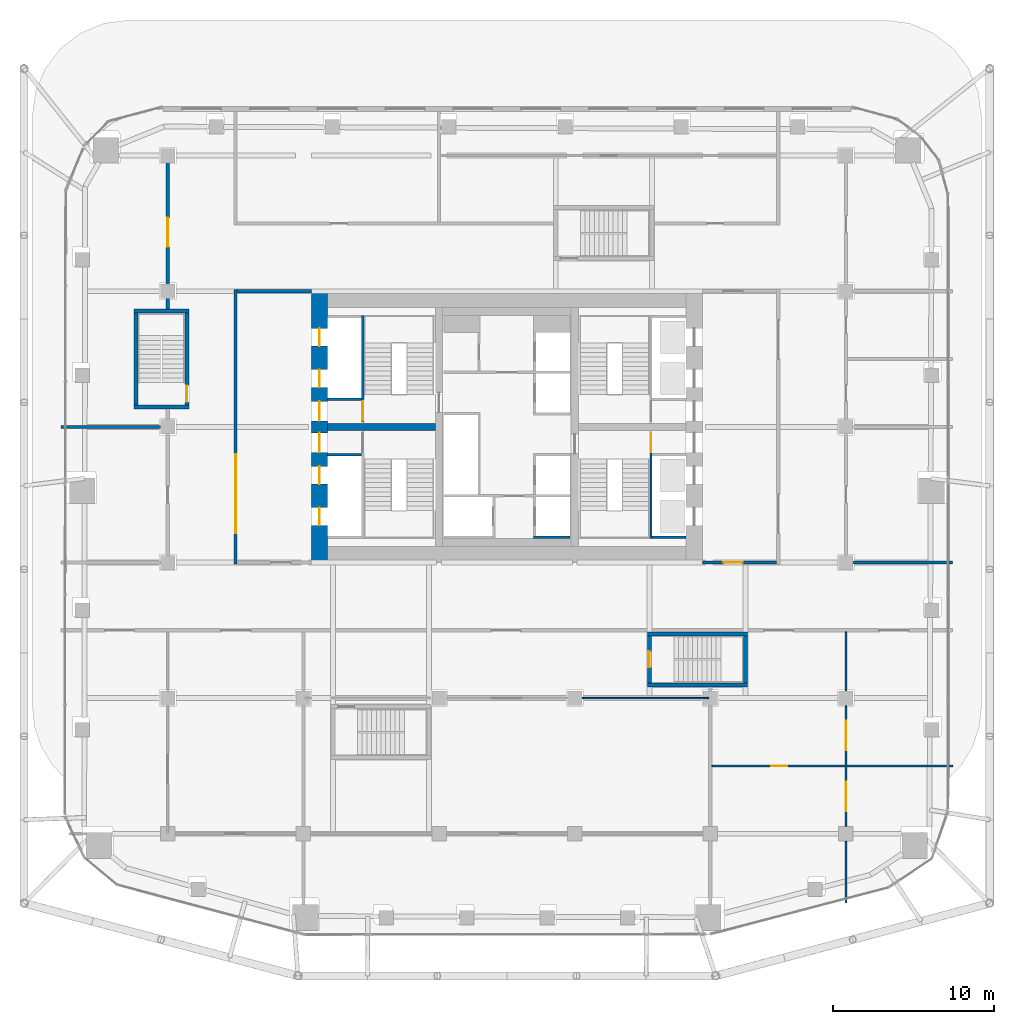
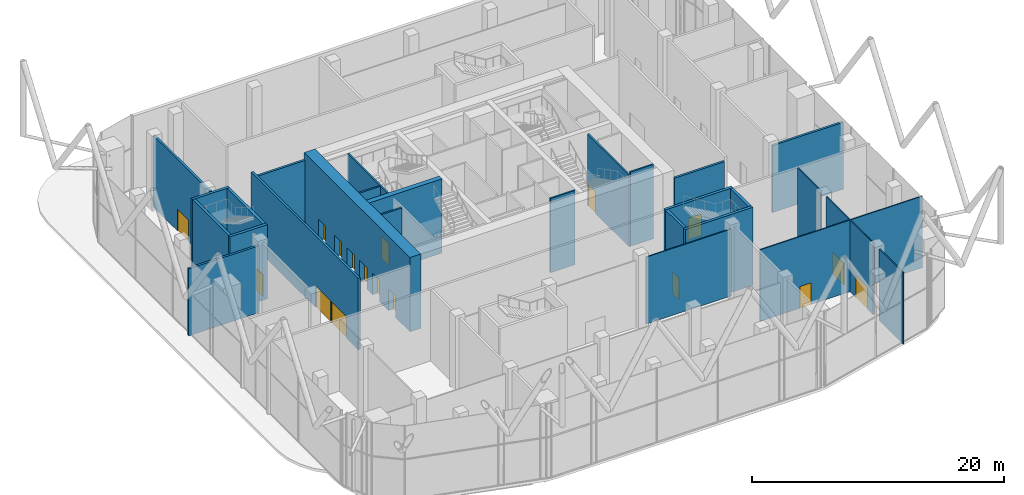
# One storey, part 26 of 34: 27 walls, 17 doors, 17 openings.
"""IFC4 building model written with IfcOpenShell, lengths in metres."""

from ifc_helpers import new_model, si_unit, direction, frame, frame_2d, origin, place, context, subcontext, project, spatial, rectangle, extrude, material, layer, layer_set, type_object, element, fill, save


model = new_model("IFC4")

# Units and contexts
model_context = context("Model", 3, precision=1e-05, world=origin(), true_north=direction((0.0, 1.0)))
body_context = subcontext(model_context, "Body", "Model", "MODEL_VIEW")
ifc_project = project(units=[si_unit("LENGTHUNIT", "METRE"), si_unit("AREAUNIT", "SQUARE_METRE"), si_unit("VOLUMEUNIT", "CUBIC_METRE"), si_unit("PLANEANGLEUNIT", "RADIAN"), si_unit("MASSUNIT", "GRAM", prefix="KILO")], contexts=[model_context])

# Site, building, storey
site_placement = place(None, origin())
site = spatial("IfcSite", under=ifc_project, at=site_placement, CompositionType="ELEMENT")
building_placement = place(site_placement, origin())
building = spatial("IfcBuilding", under=site, at=building_placement, Name="Marenta Gate Hotel Tower", CompositionType="ELEMENT")
storey_placement = place(building_placement, frame((0.0, 0.0, 97.699951171875)))
storey = spatial("IfcBuildingStorey", under=building, at=storey_placement, Name="L21", CompositionType="ELEMENT", Elevation=97.699951171875)

# Wall, openings, doors
ifc_material_1 = material(Name="Concrete blockwork", Category="masonry")
ifc_layer_1 = layer(ifc_material_1, 0.199951171875)
ifc_layer_set_1 = layer_set([ifc_layer_1], Name="Concrete blockwork")
wall_type_1 = type_object("IfcWallType", Name="Core boundary wall 200 REI 180", PredefinedType="PARTITIONING", material=ifc_layer_set_1)
wall_1_placement = place(storey_placement, frame((-16.800048828125, -0.10009765625, 0.0), z_axis=(0.0, 0.0, 1.0), x_axis=(0.0, 1.0, 0.0)))
wall_1 = element("IfcWall", 1, at=wall_1_placement, inside=storey, type_object=wall_type_1, Name="L21-CP-BW-W", PredefinedType="PARTITIONING", context=body_context, shape_type="SweptSolid", body=[
    extrude(rectangle(XDim=17.0, YDim=0.199951171875, at=frame_2d((8.5, 0.0))), origin(), (0.0, 0.0, 1.0), 6.93994140625),
])
opening_1_placement = place(wall_1_placement, frame((1.89990234375, 0.0, 0.0)))
opening_1 = element("IfcOpeningElement", 2, at=opening_1_placement, cuts=wall_1, Name="Opening ED-Wa-A", PredefinedType="OPENING", context=body_context, shape_type="SweptSolid", body=[
    extrude(rectangle(XDim=2.39990234375, YDim=2.10009765625, at=frame_2d((1.199951171875, 1.050048828125))), frame((0.0, 0.10009765625, 0.0), z_axis=(0.0, -1.0, 0.0), x_axis=(1.0, 0.0, 0.0)), (0.0, 0.0, 1.0), 0.199951171875),
])
opening_2_placement = place(wall_1_placement, frame((4.39990234375, 0.0, 0.0)))
opening_2 = element("IfcOpeningElement", 3, at=opening_2_placement, cuts=wall_1, Name="Opening ED-Wb-A", PredefinedType="OPENING", context=body_context, shape_type="SweptSolid", body=[
    extrude(rectangle(XDim=2.39990234375, YDim=2.10009765625, at=frame_2d((1.199951171875, 1.050048828125))), frame((0.0, 0.10009765625, 0.0), z_axis=(0.0, -1.0, 0.0), x_axis=(1.0, 0.0, 0.0)), (0.0, 0.0, 1.0), 0.199951171875),
])
ifc_material_2 = material(Name="Steel", Category="steel")
door_type_1 = type_object("IfcDoorType", Name="Core lobby entrance door 2400x2100 EI 60", OperationType="DOUBLE_DOOR_SINGLE_SWING", PredefinedType="DOOR", material=ifc_material_2)
door_1_placement = place(opening_1_placement, origin())
door_1 = element("IfcDoor", 4, at=door_1_placement, inside=storey, type_object=door_type_1, Name="ED-Wa-A", OperationType="DOUBLE_DOOR_SINGLE_SWING", OverallHeight=2.10009765625, OverallWidth=2.39990234375, PredefinedType="DOOR", context=body_context, shape_type="SweptSolid", body=[
    extrude(rectangle(XDim=2.39990234375, YDim=2.10009765625, at=frame_2d((1.199951171875, 1.050048828125))), frame((0.0, 0.02490234375, 0.0), z_axis=(0.0, -1.0, 0.0), x_axis=(1.0, 0.0, 0.0)), (0.0, 0.0, 1.0), 0.050048828125),
])
fill(opening_1, door_1)
door_2_placement = place(opening_2_placement, origin())
door_2 = element("IfcDoor", 5, at=door_2_placement, inside=storey, type_object=door_type_1, Name="ED-Wb-A", OperationType="DOUBLE_DOOR_SINGLE_SWING", OverallHeight=2.10009765625, OverallWidth=2.39990234375, PredefinedType="DOOR", context=body_context, shape_type="SweptSolid", body=[
    extrude(rectangle(XDim=2.39990234375, YDim=2.10009765625, at=frame_2d((1.199951171875, 1.050048828125))), frame((0.0, 0.02490234375, 0.0), z_axis=(0.0, -1.0, 0.0), x_axis=(1.0, 0.0, 0.0)), (0.0, 0.0, 1.0), 0.050048828125),
])
fill(opening_2, door_2)

# Wall
wall_2_placement = place(storey_placement, frame((-16.699951171875, 16.800048828125, 0.0), z_axis=(0.0, 0.0, 1.0), x_axis=(1.0, 0.0, 0.0)))
element("IfcWall", 6, at=wall_2_placement, inside=storey, type_object=wall_type_1, Name="L21-CP-EW-WN", PredefinedType="PARTITIONING", context=body_context, shape_type="SweptSolid", body=[
    extrude(rectangle(XDim=4.599853515625, YDim=0.199951171875, at=frame_2d((2.2998046875, 0.0))), origin(), (0.0, 0.0, 1.0), 6.489990234375),
])

# Wall, opening, door
wall_3_placement = place(storey_placement, frame((12.10009765625, 0.0, 0.0), z_axis=(0.0, 0.0, 1.0), x_axis=(1.0, 0.0, 0.0)))
wall_3 = element("IfcWall", 7, at=wall_3_placement, inside=storey, type_object=wall_type_1, Name="L21-CP-EW-ES", PredefinedType="PARTITIONING", context=body_context, shape_type="SweptSolid", body=[
    extrude(rectangle(XDim=4.599853515625, YDim=0.199951171875, at=frame_2d((2.2998046875, 0.0))), origin(), (0.0, 0.0, 1.0), 6.489990234375),
])
opening_3_placement = place(wall_3_placement, frame((1.300048828125, 0.0, 0.0)))
opening_3 = element("IfcOpeningElement", 8, at=opening_3_placement, cuts=wall_3, Name="Opening RS-Z2-2", PredefinedType="OPENING", context=body_context, shape_type="SweptSolid", body=[
    extrude(rectangle(XDim=1.199951171875, YDim=2.10009765625, at=frame_2d((0.60009765625, 1.050048828125))), frame((0.0, 0.10009765625, 0.0), z_axis=(0.0, -1.0, 0.0), x_axis=(1.0, 0.0, 0.0)), (0.0, 0.0, 1.0), 0.199951171875),
])
ifc_material_3 = material(Name="Steel", Category="steel")
door_type_2 = type_object("IfcDoorType", Name="Core lobby door 1200x2100 EI 60", OperationType="SINGLE_SWING_LEFT", PredefinedType="DOOR", material=ifc_material_3)
door_3_placement = place(opening_3_placement, origin())
door_3 = element("IfcDoor", 9, at=door_3_placement, inside=storey, type_object=door_type_2, Name="RS-Z2-2", OperationType="SINGLE_SWING_LEFT", OverallHeight=2.10009765625, OverallWidth=1.199951171875, PredefinedType="DOOR", context=body_context, shape_type="SweptSolid", body=[
    extrude(rectangle(XDim=1.199951171875, YDim=2.10009765625, at=frame_2d((0.60009765625, 1.050048828125))), frame((0.0, 0.02490234375, 0.0), z_axis=(0.0, -1.0, 0.0), x_axis=(1.0, 0.0, 0.0)), (0.0, 0.0, 1.0), 0.050048828125),
])
fill(opening_3, door_3)

# Walls
ifc_material_4 = material(Name="Concrete C40", Category="concrete")
ifc_layer_2 = layer(ifc_material_4, 0.14990234375)
ifc_layer_set_2 = layer_set([ifc_layer_2], Name="Concrete C40")
wall_type_2 = type_object("IfcWallType", Name="Core shaft wall 150 REI 180", PredefinedType="SHEAR", material=ifc_layer_set_2)
for number, where, z_axis, x_axis, name in (
    (10, (-11.10009765625, 6.675048828125, 0.0), (0.0, 0.0, 1.0), (1.0, 0.0, 0.0), "L21-SHF-SW-WS-2"),
    (11, (-11.10009765625, 10.125, 0.0), (0.0, 0.0, 1.0), (1.0, 0.0, 0.0), "L21-SHF-SW-WN-2"),
):
    element("IfcWall", number, at=place(storey_placement, frame(where, z_axis=z_axis, x_axis=x_axis)), inside=storey, type_object=wall_type_2, Name=name, PredefinedType="SHEAR", context=body_context, shape_type="SweptSolid", body=[
        extrude(rectangle(XDim=2.10009765625, YDim=0.14990234375, at=frame_2d((1.050048828125, 0.0))), origin(), (0.0, 0.0, 1.0), 6.93994140625),
    ])
wall_4_placement = place(storey_placement, frame((9.0, 1.574951171875, 0.0), z_axis=(0.0, 0.0, 1.0), x_axis=(1.0, 0.0, 0.0)))
element("IfcWall", 12, at=wall_4_placement, inside=storey, type_object=wall_type_2, Name="L21-SHF-SW-ES-5", PredefinedType="SHEAR", context=body_context, shape_type="SweptSolid", body=[
    extrude(rectangle(XDim=2.10009765625, YDim=0.14990234375, at=frame_2d((1.050048828125, 0.0))), origin(), (0.0, 0.0, 1.0), 7.199951171875),
])
wall_5_placement = place(storey_placement, frame((1.64990234375, 1.574951171875, 0.0), z_axis=(0.0, 0.0, 1.0), x_axis=(1.0, 0.0, 0.0)))
element("IfcWall", 13, at=wall_5_placement, inside=storey, type_object=wall_type_2, Name="L21-SHF-CE-S-bot", PredefinedType="SHEAR", context=body_context, shape_type="SweptSolid", body=[
    extrude(rectangle(XDim=2.25, YDim=0.14990234375, at=frame_2d((1.125, 0.0))), origin(), (0.0, 0.0, 1.0), 7.199951171875),
])

# Wall, opening, door
ifc_material_5 = material(Name="Concrete C40", Category="concrete")
ifc_layer_3 = layer(ifc_material_5, 0.14990234375)
ifc_layer_set_3 = layer_set([ifc_layer_3], Name="Concrete C40")
wall_type_3 = type_object("IfcWallType", Name="Core stair enclosure wall 150 REI 180", PredefinedType="SHEAR", material=ifc_layer_set_3)
wall_6_placement = place(storey_placement, frame((-8.925048828125, 8.699951171875, 0.0), z_axis=(0.0, 0.0, 1.0), x_axis=(0.0, 1.0, 0.0)))
wall_6 = element("IfcWall", 14, at=wall_6_placement, inside=storey, type_object=wall_type_3, Name="L21-SHF-SW-WN-3", PredefinedType="SHEAR", context=body_context, shape_type="SweptSolid", body=[
    extrude(rectangle(XDim=6.60009765625, YDim=0.14990234375, at=frame_2d((3.300048828125, 0.0))), origin(), (0.0, 0.0, 1.0), 6.93994140625),
])
opening_4_placement = place(wall_6_placement, frame((0.074951171875, 0.0, 0.0)))
opening_4 = element("IfcOpeningElement", 15, at=opening_4_placement, cuts=wall_6, Name="Opening SD-WN", PredefinedType="OPENING", context=body_context, shape_type="SweptSolid", body=[
    extrude(rectangle(XDim=1.199951171875, YDim=2.10009765625, at=frame_2d((0.60009765625, 1.050048828125))), frame((0.0, 0.074951171875, 0.0), z_axis=(0.0, -1.0, 0.0), x_axis=(1.0, 0.0, 0.0)), (0.0, 0.0, 1.0), 0.14990234375),
])
ifc_material_6 = material(Name="Steel", Category="steel")
door_type_3 = type_object("IfcDoorType", Name="Core stair door 1200x2100 FD60", OperationType="SINGLE_SWING_LEFT", PredefinedType="DOOR", material=ifc_material_6)
door_4_placement = place(opening_4_placement, origin())
door_4 = element("IfcDoor", 16, at=door_4_placement, inside=storey, type_object=door_type_3, Name="SD-WN", OperationType="SINGLE_SWING_LEFT", OverallHeight=2.10009765625, OverallWidth=1.199951171875, PredefinedType="DOOR", context=body_context, shape_type="SweptSolid", body=[
    extrude(rectangle(XDim=1.199951171875, YDim=2.10009765625, at=frame_2d((0.60009765625, 1.050048828125))), frame((0.0, 0.02490234375, 0.0), z_axis=(0.0, -1.0, 0.0), x_axis=(1.0, 0.0, 0.0)), (0.0, 0.0, 1.0), 0.050048828125),
])
fill(opening_4, door_4)

wall_7_placement = place(storey_placement, frame((8.925048828125, 1.5, 0.0), z_axis=(0.0, 0.0, 1.0), x_axis=(0.0, 1.0, 0.0)))
wall_7 = element("IfcWall", 17, at=wall_7_placement, inside=storey, type_object=wall_type_3, Name="L21-SHF-SW-ES-3", PredefinedType="SHEAR", context=body_context, shape_type="SweptSolid", body=[
    extrude(rectangle(XDim=6.60009765625, YDim=0.14990234375, at=frame_2d((3.300048828125, 0.0))), origin(), (0.0, 0.0, 1.0), 6.93994140625),
])
opening_5_placement = place(wall_7_placement, frame((5.324951171875, 0.0, 0.0)))
opening_5 = element("IfcOpeningElement", 18, at=opening_5_placement, cuts=wall_7, Name="Opening SD-ES", PredefinedType="OPENING", context=body_context, shape_type="SweptSolid", body=[
    extrude(rectangle(XDim=1.199951171875, YDim=2.10009765625, at=frame_2d((0.60009765625, 1.050048828125))), frame((0.0, 0.074951171875, 0.0), z_axis=(0.0, -1.0, 0.0), x_axis=(1.0, 0.0, 0.0)), (0.0, 0.0, 1.0), 0.14990234375),
])
door_5_placement = place(opening_5_placement, origin())
door_5 = element("IfcDoor", 19, at=door_5_placement, inside=storey, type_object=door_type_3, Name="SD-ES", OperationType="SINGLE_SWING_LEFT", OverallHeight=2.10009765625, OverallWidth=1.199951171875, PredefinedType="DOOR", context=body_context, shape_type="SweptSolid", body=[
    extrude(rectangle(XDim=1.199951171875, YDim=2.10009765625, at=frame_2d((0.60009765625, 1.050048828125))), frame((0.0, 0.02490234375, 0.0), z_axis=(0.0, -1.0, 0.0), x_axis=(1.0, 0.0, 0.0)), (0.0, 0.0, 1.0), 0.050048828125),
])
fill(opening_5, door_5)

# Wall, openings, doors
ifc_material_7 = material(Name="Concrete C70", Category="concrete")
ifc_layer_4 = layer(ifc_material_7, 1.0)
ifc_layer_set_4 = layer_set([ifc_layer_4], Name="Concrete C70")
wall_type_4 = type_object("IfcWallType", Name="Core wall 1000 C70", PredefinedType="SHEAR", material=ifc_layer_set_4)
wall_8_placement = place(storey_placement, frame((-11.60009765625, 0.0, 0.0), z_axis=(0.0, 0.0, 1.0), x_axis=(0.0, 1.0, 0.0)))
wall_8 = element("IfcWall", 20, at=wall_8_placement, inside=storey, type_object=wall_type_4, Name="L21-CORE-W", PredefinedType="SHEAR", context=body_context, shape_type="SweptSolid", body=[
    extrude(rectangle(XDim=16.800048828125, YDim=1.0, at=frame_2d((8.39990234375, 0.0))), origin(), (0.0, 0.0, 1.0), 7.199951171875),
])
opening_6_placement = place(wall_8_placement, frame((2.300048828125, 0.0, 0.0)))
opening_6 = element("IfcOpeningElement", 21, at=opening_6_placement, cuts=wall_8, Name="Opening LD-LR1", PredefinedType="OPENING", context=body_context, shape_type="SweptSolid", body=[
    extrude(rectangle(XDim=1.10009765625, YDim=2.10009765625, at=frame_2d((0.550048828125, 1.050048828125))), frame((0.0, 0.5, 0.0), z_axis=(0.0, -1.0, 0.0), x_axis=(1.0, 0.0, 0.0)), (0.0, 0.0, 1.0), 1.0),
])
opening_7_placement = place(wall_8_placement, frame((4.85009765625, 0.0, 0.0)))
opening_7 = element("IfcOpeningElement", 22, at=opening_7_placement, cuts=wall_8, Name="Opening LD-LR2", PredefinedType="OPENING", context=body_context, shape_type="SweptSolid", body=[
    extrude(rectangle(XDim=1.10009765625, YDim=2.10009765625, at=frame_2d((0.550048828125, 1.050048828125))), frame((0.0, 0.5, 0.0), z_axis=(0.0, -1.0, 0.0), x_axis=(1.0, 0.0, 0.0)), (0.0, 0.0, 1.0), 1.0),
])
opening_8_placement = place(wall_8_placement, frame((6.824951171875, 0.0, 0.0)))
opening_8 = element("IfcOpeningElement", 23, at=opening_8_placement, cuts=wall_8, Name="Opening PD-WS", PredefinedType="OPENING", context=body_context, shape_type="SweptSolid", body=[
    extrude(rectangle(XDim=1.199951171875, YDim=2.10009765625, at=frame_2d((0.60009765625, 1.050048828125))), frame((0.0, 0.5, 0.0), z_axis=(0.0, -1.0, 0.0), x_axis=(1.0, 0.0, 0.0)), (0.0, 0.0, 1.0), 1.0),
])
opening_9_placement = place(wall_8_placement, frame((13.39990234375, 0.0, 0.0)))
opening_9 = element("IfcOpeningElement", 24, at=opening_9_placement, cuts=wall_8, Name="Opening LD-LR4", PredefinedType="OPENING", context=body_context, shape_type="SweptSolid", body=[
    extrude(rectangle(XDim=1.10009765625, YDim=2.10009765625, at=frame_2d((0.550048828125, 1.050048828125))), frame((0.0, 0.5, 0.0), z_axis=(0.0, -1.0, 0.0), x_axis=(1.0, 0.0, 0.0)), (0.0, 0.0, 1.0), 1.0),
])
opening_10_placement = place(wall_8_placement, frame((10.85009765625, 0.0, 0.0)))
opening_10 = element("IfcOpeningElement", 25, at=opening_10_placement, cuts=wall_8, Name="Opening LD-LR3", PredefinedType="OPENING", context=body_context, shape_type="SweptSolid", body=[
    extrude(rectangle(XDim=1.10009765625, YDim=2.10009765625, at=frame_2d((0.550048828125, 1.050048828125))), frame((0.0, 0.5, 0.0), z_axis=(0.0, -1.0, 0.0), x_axis=(1.0, 0.0, 0.0)), (0.0, 0.0, 1.0), 1.0),
])
opening_11_placement = place(wall_8_placement, frame((8.77490234375, 0.0, 0.0)))
opening_11 = element("IfcOpeningElement", 26, at=opening_11_placement, cuts=wall_8, Name="Opening PD-WN", PredefinedType="OPENING", context=body_context, shape_type="SweptSolid", body=[
    extrude(rectangle(XDim=1.199951171875, YDim=2.10009765625, at=frame_2d((0.60009765625, 1.050048828125))), frame((0.0, 0.5, 0.0), z_axis=(0.0, -1.0, 0.0), x_axis=(1.0, 0.0, 0.0)), (0.0, 0.0, 1.0), 1.0),
])
ifc_material_8 = material(Name="Steel", Category="steel")
door_type_4 = type_object("IfcDoorType", Name="Core lift landing door 1100x2100 E 60", OperationType="SLIDING_TO_LEFT", PredefinedType="DOOR", material=ifc_material_8)
door_6_placement = place(opening_6_placement, origin())
door_6 = element("IfcDoor", 27, at=door_6_placement, inside=storey, type_object=door_type_4, Name="LD-LR1", OperationType="SLIDING_TO_LEFT", OverallHeight=2.10009765625, OverallWidth=1.10009765625, PredefinedType="DOOR", context=body_context, shape_type="SweptSolid", body=[
    extrude(rectangle(XDim=1.10009765625, YDim=2.10009765625, at=frame_2d((0.550048828125, 1.050048828125))), frame((0.0, 0.02490234375, 0.0), z_axis=(0.0, -1.0, 0.0), x_axis=(1.0, 0.0, 0.0)), (0.0, 0.0, 1.0), 0.050048828125),
])
fill(opening_6, door_6)
door_7_placement = place(opening_7_placement, origin())
door_7 = element("IfcDoor", 28, at=door_7_placement, inside=storey, type_object=door_type_4, Name="LD-LR2", OperationType="SLIDING_TO_LEFT", OverallHeight=2.10009765625, OverallWidth=1.10009765625, PredefinedType="DOOR", context=body_context, shape_type="SweptSolid", body=[
    extrude(rectangle(XDim=1.10009765625, YDim=2.10009765625, at=frame_2d((0.550048828125, 1.050048828125))), frame((0.0, 0.02490234375, 0.0), z_axis=(0.0, -1.0, 0.0), x_axis=(1.0, 0.0, 0.0)), (0.0, 0.0, 1.0), 0.050048828125),
])
fill(opening_7, door_7)
door_8_placement = place(opening_9_placement, origin())
door_8 = element("IfcDoor", 29, at=door_8_placement, inside=storey, type_object=door_type_4, Name="LD-LR4", OperationType="SLIDING_TO_LEFT", OverallHeight=2.10009765625, OverallWidth=1.10009765625, PredefinedType="DOOR", context=body_context, shape_type="SweptSolid", body=[
    extrude(rectangle(XDim=1.10009765625, YDim=2.10009765625, at=frame_2d((0.550048828125, 1.050048828125))), frame((0.0, 0.02490234375, 0.0), z_axis=(0.0, -1.0, 0.0), x_axis=(1.0, 0.0, 0.0)), (0.0, 0.0, 1.0), 0.050048828125),
])
fill(opening_9, door_8)
door_9_placement = place(opening_10_placement, origin())
door_9 = element("IfcDoor", 30, at=door_9_placement, inside=storey, type_object=door_type_4, Name="LD-LR3", OperationType="SLIDING_TO_LEFT", OverallHeight=2.10009765625, OverallWidth=1.10009765625, PredefinedType="DOOR", context=body_context, shape_type="SweptSolid", body=[
    extrude(rectangle(XDim=1.10009765625, YDim=2.10009765625, at=frame_2d((0.550048828125, 1.050048828125))), frame((0.0, 0.02490234375, 0.0), z_axis=(0.0, -1.0, 0.0), x_axis=(1.0, 0.0, 0.0)), (0.0, 0.0, 1.0), 0.050048828125),
])
fill(opening_10, door_9)
ifc_material_9 = material(Name="Steel", Category="steel")
door_type_5 = type_object("IfcDoorType", Name="Core lobby door 1200x2100 FD60", OperationType="SINGLE_SWING_LEFT", PredefinedType="DOOR", material=ifc_material_9)
door_10_placement = place(opening_8_placement, origin())
door_10 = element("IfcDoor", 31, at=door_10_placement, inside=storey, type_object=door_type_5, Name="PD-WS", OperationType="SINGLE_SWING_LEFT", OverallHeight=2.10009765625, OverallWidth=1.199951171875, PredefinedType="DOOR", context=body_context, shape_type="SweptSolid", body=[
    extrude(rectangle(XDim=1.199951171875, YDim=2.10009765625, at=frame_2d((0.60009765625, 1.050048828125))), frame((0.0, 0.02490234375, 0.0), z_axis=(0.0, -1.0, 0.0), x_axis=(1.0, 0.0, 0.0)), (0.0, 0.0, 1.0), 0.050048828125),
])
fill(opening_8, door_10)
door_11_placement = place(opening_11_placement, origin())
door_11 = element("IfcDoor", 32, at=door_11_placement, inside=storey, type_object=door_type_5, Name="PD-WN", OperationType="SINGLE_SWING_LEFT", OverallHeight=2.10009765625, OverallWidth=1.199951171875, PredefinedType="DOOR", context=body_context, shape_type="SweptSolid", body=[
    extrude(rectangle(XDim=1.199951171875, YDim=2.10009765625, at=frame_2d((0.60009765625, 1.050048828125))), frame((0.0, 0.02490234375, 0.0), z_axis=(0.0, -1.0, 0.0), x_axis=(1.0, 0.0, 0.0)), (0.0, 0.0, 1.0), 0.050048828125),
])
fill(opening_11, door_11)

# Walls
ifc_material_10 = material(Name="Concrete C70", Category="concrete")
ifc_layer_5 = layer(ifc_material_10, 0.449951171875)
ifc_layer_set_5 = layer_set([ifc_layer_5], Name="Concrete C70")
wall_type_5 = type_object("IfcWallType", Name="Core web 450 C70", PredefinedType="SHEAR", material=ifc_layer_set_5)
wall_9_placement = place(storey_placement, frame((-11.10009765625, 8.39990234375, 0.0), z_axis=(0.0, 0.0, 1.0), x_axis=(1.0, 0.0, 0.0)))
element("IfcWall", 33, at=wall_9_placement, inside=storey, type_object=wall_type_5, Name="L21-CORE-W3", PredefinedType="SHEAR", context=body_context, shape_type="SweptSolid", body=[
    extrude(rectangle(XDim=6.675048828125, YDim=0.449951171875, at=frame_2d((3.33740234375, 0.0))), origin(), (0.0, 0.0, 1.0), 7.199951171875),
])
ifc_material_11 = material(Name="Concrete C40", Category="concrete")
ifc_layer_6 = layer(ifc_material_11, 0.25)
ifc_layer_set_6 = layer_set([ifc_layer_6], Name="Concrete C40")
wall_type_6 = type_object("IfcWallType", Name="Remote stair enclosure wall 250 REI 180", PredefinedType="SHEAR", material=ifc_layer_set_6)
for number, where, z_axis, x_axis, name in (
    (34, (-23.10009765625, 9.625, 0.10009765625), (0.0, 0.0, 1.0), (1.0, 0.0, 0.0), "L21-RS-Z1-3-W1"),
    (35, (-23.10009765625, 15.574951171875, 0.10009765625), (0.0, 0.0, 1.0), (1.0, 0.0, 0.0), "L21-RS-Z1-3-W2"),
):
    element("IfcWall", number, at=place(storey_placement, frame(where, z_axis=z_axis, x_axis=x_axis)), inside=storey, type_object=wall_type_6, Name=name, PredefinedType="SHEAR", context=body_context, shape_type="SweptSolid", body=[
        extrude(rectangle(XDim=3.400146484375, YDim=0.25, at=frame_2d((1.7001953125, 0.0))), origin(), (0.0, 0.0, 1.0), 7.199951171875),
    ])
wall_10_placement = place(storey_placement, frame((-22.97509765625, 9.75, 0.10009765625), z_axis=(0.0, 0.0, 1.0), x_axis=(0.0, 1.0, 0.0)))
element("IfcWall", 36, at=wall_10_placement, inside=storey, type_object=wall_type_6, Name="L21-RS-Z1-3-W3", PredefinedType="SHEAR", context=body_context, shape_type="SweptSolid", body=[
    extrude(rectangle(XDim=5.699951171875, YDim=0.25, at=frame_2d((2.85009765625, 0.0))), origin(), (0.0, 0.0, 1.0), 7.199951171875),
])

# Wall, opening, door
wall_11_placement = place(storey_placement, frame((-19.824951171875, 9.75, 0.10009765625), z_axis=(0.0, 0.0, 1.0), x_axis=(0.0, 1.0, 0.0)))
wall_11 = element("IfcWall", 37, at=wall_11_placement, inside=storey, type_object=wall_type_6, Name="L21-RS-Z1-3-W4", PredefinedType="SHEAR", context=body_context, shape_type="SweptSolid", body=[
    extrude(rectangle(XDim=5.699951171875, YDim=0.25, at=frame_2d((2.85009765625, 0.0))), origin(), (0.0, 0.0, 1.0), 7.199951171875),
])
opening_12_placement = place(wall_11_placement, frame((0.199951171875, 0.0, 0.0)))
opening_12 = element("IfcOpeningElement", 38, at=opening_12_placement, cuts=wall_11, Name="Opening VD", PredefinedType="OPENING", context=body_context, shape_type="SweptSolid", body=[
    extrude(rectangle(XDim=1.0, YDim=2.10009765625, at=frame_2d((0.5, 1.050048828125))), frame((0.0, 0.125, 0.0), z_axis=(0.0, -1.0, 0.0), x_axis=(1.0, 0.0, 0.0)), (0.0, 0.0, 1.0), 0.25),
])
ifc_material_12 = material(Name="Steel", Category="steel")
door_type_6 = type_object("IfcDoorType", Name="Stair vestibule door 1000x2100 FD60", OperationType="SINGLE_SWING_LEFT", PredefinedType="DOOR", material=ifc_material_12)
door_12_placement = place(opening_12_placement, origin())
door_12 = element("IfcDoor", 39, at=door_12_placement, inside=storey, type_object=door_type_6, Name="VD", OperationType="SINGLE_SWING_LEFT", OverallHeight=2.10009765625, OverallWidth=1.0, PredefinedType="DOOR", context=body_context, shape_type="SweptSolid", body=[
    extrude(rectangle(XDim=1.0, YDim=2.10009765625, at=frame_2d((0.5, 1.050048828125))), frame((0.0, 0.02490234375, 0.0), z_axis=(0.0, -1.0, 0.0), x_axis=(1.0, 0.0, 0.0)), (0.0, 0.0, 1.0), 0.050048828125),
])
fill(opening_12, door_12)

# Walls
for number, where, z_axis, x_axis, name in (
    (40, (8.699951171875, -7.574951171875, -0.260009765625), (0.0, 0.0, 1.0), (1.0, 0.0, 0.0), "L21-RS-Z2-2-W1"),
    (41, (8.699951171875, -4.425048828125, -0.260009765625), (0.0, 0.0, 1.0), (1.0, 0.0, 0.0), "L21-RS-Z2-2-W2"),
):
    element("IfcWall", number, at=place(storey_placement, frame(where, z_axis=z_axis, x_axis=x_axis)), inside=storey, type_object=wall_type_6, Name=name, PredefinedType="SHEAR", context=body_context, shape_type="SweptSolid", body=[
        extrude(rectangle(XDim=6.199951171875, YDim=0.25, at=frame_2d((3.10009765625, 0.0))), origin(), (0.0, 0.0, 1.0), 7.56005859375),
    ])

# Wall, opening, door
wall_12_placement = place(storey_placement, frame((8.824951171875, -7.449951171875, -0.260009765625), z_axis=(0.0, 0.0, 1.0), x_axis=(0.0, 1.0, 0.0)))
wall_12 = element("IfcWall", 42, at=wall_12_placement, inside=storey, type_object=wall_type_6, Name="L21-RS-Z2-2-W3", PredefinedType="SHEAR", context=body_context, shape_type="SweptSolid", body=[
    extrude(rectangle(XDim=2.89990234375, YDim=0.25, at=frame_2d((1.449951171875, 0.0))), origin(), (0.0, 0.0, 1.0), 7.56005859375),
])
opening_13_placement = place(wall_12_placement, frame((0.949951171875, 0.0, 0.0)))
opening_13 = element("IfcOpeningElement", 43, at=opening_13_placement, cuts=wall_12, Name="Opening VD", PredefinedType="OPENING", context=body_context, shape_type="SweptSolid", body=[
    extrude(rectangle(XDim=1.0, YDim=2.10009765625, at=frame_2d((0.5, 1.050048828125))), frame((0.0, 0.125, 0.0), z_axis=(0.0, -1.0, 0.0), x_axis=(1.0, 0.0, 0.0)), (0.0, 0.0, 1.0), 0.25),
])
door_13_placement = place(opening_13_placement, origin())
door_13 = element("IfcDoor", 44, at=door_13_placement, inside=storey, type_object=door_type_6, Name="VD", OperationType="SINGLE_SWING_LEFT", OverallHeight=2.10009765625, OverallWidth=1.0, PredefinedType="DOOR", context=body_context, shape_type="SweptSolid", body=[
    extrude(rectangle(XDim=1.0, YDim=2.10009765625, at=frame_2d((0.5, 1.050048828125))), frame((0.0, 0.02490234375, 0.0), z_axis=(0.0, -1.0, 0.0), x_axis=(1.0, 0.0, 0.0)), (0.0, 0.0, 1.0), 0.050048828125),
])
fill(opening_13, door_13)

# Walls
wall_13_placement = place(storey_placement, frame((14.77490234375, -7.449951171875, -0.260009765625), z_axis=(0.0, 0.0, 1.0), x_axis=(0.0, 1.0, 0.0)))
element("IfcWall", 45, at=wall_13_placement, inside=storey, type_object=wall_type_6, Name="L21-RS-Z2-2-W4", PredefinedType="SHEAR", context=body_context, shape_type="SweptSolid", body=[
    extrude(rectangle(XDim=2.89990234375, YDim=0.25, at=frame_2d((1.449951171875, 0.0))), origin(), (0.0, 0.0, 1.0), 7.56005859375),
])
ifc_material_13 = material(Name="Gypsum board on steel stud", Category="steel")
ifc_layer_7 = layer(ifc_material_13, 0.199951171875)
ifc_layer_set_7 = layer_set([ifc_layer_7], Name="Gypsum board on steel stud")
wall_type_7 = type_object("IfcWallType", Name="Room corridor wall 200 EI 60", PredefinedType="PARTITIONING", material=ifc_layer_set_7)
wall_14_placement = place(storey_placement, frame((21.10009765625, 0.0, 0.0), z_axis=(0.0, 0.0, 1.0), x_axis=(1.0, 0.0, 0.0)))
element("IfcWall", 46, at=wall_14_placement, inside=storey, type_object=wall_type_7, Name="L21-PTN-W014", PredefinedType="PARTITIONING", context=body_context, shape_type="SweptSolid", body=[
    extrude(rectangle(XDim=6.5, YDim=0.199951171875, at=frame_2d((3.25, 0.0))), origin(), (0.0, 0.0, 1.0), 6.489990234375),
])

# Wall, opening, door
wall_15_placement = place(storey_placement, frame((-21.0, 15.699951171875, 0.0), z_axis=(0.0, 0.0, 1.0), x_axis=(0.0, 1.0, 0.0)))
wall_15 = element("IfcWall", 47, at=wall_15_placement, inside=storey, type_object=wall_type_7, Name="L21-PTN-W025", PredefinedType="PARTITIONING", context=body_context, shape_type="SweptSolid", body=[
    extrude(rectangle(XDim=9.5, YDim=0.199951171875, at=frame_2d((4.75, 0.0))), origin(), (0.0, 0.0, 1.0), 6.93994140625),
])
opening_14_placement = place(wall_15_placement, frame((3.85009765625, 0.0, 0.0)))
opening_14 = element("IfcOpeningElement", 48, at=opening_14_placement, cuts=wall_15, Name="Opening S08-02", PredefinedType="OPENING", context=body_context, shape_type="SweptSolid", body=[
    extrude(rectangle(XDim=1.800048828125, YDim=2.10009765625, at=frame_2d((0.89990234375, 1.050048828125))), frame((0.0, 0.10009765625, 0.0), z_axis=(0.0, -1.0, 0.0), x_axis=(1.0, 0.0, 0.0)), (0.0, 0.0, 1.0), 0.199951171875),
])
ifc_material_14 = material(Name="Timber door leaf", Category="wood")
door_type_7 = type_object("IfcDoorType", Name="Room amenity door 1800x2100 EI 30", OperationType="DOUBLE_DOOR_SINGLE_SWING", PredefinedType="DOOR", material=ifc_material_14)
door_14_placement = place(opening_14_placement, origin())
door_14 = element("IfcDoor", 49, at=door_14_placement, inside=storey, type_object=door_type_7, Name="L21-PD-D002", OperationType="DOUBLE_DOOR_SINGLE_SWING", OverallHeight=2.10009765625, OverallWidth=1.800048828125, PredefinedType="DOOR", context=body_context, shape_type="SweptSolid", body=[
    extrude(rectangle(XDim=1.800048828125, YDim=2.10009765625, at=frame_2d((0.89990234375, 1.050048828125))), frame((0.0, 0.02490234375, 0.0), z_axis=(0.0, -1.0, 0.0), x_axis=(1.0, 0.0, 0.0)), (0.0, 0.0, 1.0), 0.050048828125),
])
fill(opening_14, door_14)

# Wall
ifc_material_15 = material(Name="Gypsum board on steel stud", Category="steel")
ifc_layer_8 = layer(ifc_material_15, 0.10009765625)
ifc_layer_set_8 = layer_set([ifc_layer_8], Name="Gypsum board on steel stud")
wall_type_8 = type_object("IfcWallType", Name="Room partition 100", PredefinedType="PARTITIONING", material=ifc_layer_set_8)
wall_16_placement = place(storey_placement, frame((21.0, -21.072021484375, 0.0), z_axis=(0.0, 0.0, 1.0), x_axis=(0.0, 1.0, 0.0)))
element("IfcWall", 50, at=wall_16_placement, inside=storey, type_object=wall_type_8, Name="L21-PTN-W001", PredefinedType="PARTITIONING", context=body_context, shape_type="SweptSolid", body=[
    extrude(rectangle(XDim=3.802001953125, YDim=0.10009765625, at=frame_2d((1.90087890625, 0.0))), origin(), (0.0, 0.0, 1.0), 6.93994140625),
])

# Wall, openings, doors
wall_17_placement = place(storey_placement, frame((21.0, -16.330078125, 0.0), z_axis=(0.0, 0.0, 1.0), x_axis=(0.0, 1.0, 0.0)))
wall_17 = element("IfcWall", 51, at=wall_17_placement, inside=storey, type_object=wall_type_8, Name="L21-PTN-W002", PredefinedType="PARTITIONING", context=body_context, shape_type="SweptSolid", body=[
    extrude(rectangle(XDim=7.4599609375, YDim=0.10009765625, at=frame_2d((3.72998046875, 0.0))), origin(), (0.0, 0.0, 1.0), 6.93994140625),
])
opening_15_placement = place(wall_17_placement, frame((4.719970703125, 0.0, 0.0)))
opening_15 = element("IfcOpeningElement", 52, at=opening_15_placement, cuts=wall_17, Name="Opening S08-20", PredefinedType="OPENING", context=body_context, shape_type="SweptSolid", body=[
    extrude(rectangle(XDim=1.800048828125, YDim=2.10009765625, at=frame_2d((0.89990234375, 1.050048828125))), frame((0.0, 0.050048828125, 0.0), z_axis=(0.0, -1.0, 0.0), x_axis=(1.0, 0.0, 0.0)), (0.0, 0.0, 1.0), 0.10009765625),
])
opening_16_placement = place(wall_17_placement, frame((0.93994140625, 0.0, 0.0)))
opening_16 = element("IfcOpeningElement", 53, at=opening_16_placement, cuts=wall_17, Name="Opening S08-21", PredefinedType="OPENING", context=body_context, shape_type="SweptSolid", body=[
    extrude(rectangle(XDim=1.800048828125, YDim=2.10009765625, at=frame_2d((0.89990234375, 1.050048828125))), frame((0.0, 0.050048828125, 0.0), z_axis=(0.0, -1.0, 0.0), x_axis=(1.0, 0.0, 0.0)), (0.0, 0.0, 1.0), 0.10009765625),
])
ifc_material_16 = material(Name="Timber door leaf", Category="wood")
door_type_8 = type_object("IfcDoorType", Name="Room amenity door 1800x2100", OperationType="DOUBLE_DOOR_SINGLE_SWING", PredefinedType="DOOR", material=ifc_material_16)
door_15_placement = place(opening_15_placement, origin())
door_15 = element("IfcDoor", 54, at=door_15_placement, inside=storey, type_object=door_type_8, Name="L21-PD-D020", OperationType="DOUBLE_DOOR_SINGLE_SWING", OverallHeight=2.10009765625, OverallWidth=1.800048828125, PredefinedType="DOOR", context=body_context, shape_type="SweptSolid", body=[
    extrude(rectangle(XDim=1.800048828125, YDim=2.10009765625, at=frame_2d((0.89990234375, 1.050048828125))), frame((0.0, 0.02490234375, 0.0), z_axis=(0.0, -1.0, 0.0), x_axis=(1.0, 0.0, 0.0)), (0.0, 0.0, 1.0), 0.050048828125),
])
fill(opening_15, door_15)
door_16_placement = place(opening_16_placement, origin())
door_16 = element("IfcDoor", 55, at=door_16_placement, inside=storey, type_object=door_type_8, Name="L21-PD-D021", OperationType="DOUBLE_DOOR_SINGLE_SWING", OverallHeight=2.10009765625, OverallWidth=1.800048828125, PredefinedType="DOOR", context=body_context, shape_type="SweptSolid", body=[
    extrude(rectangle(XDim=1.800048828125, YDim=2.10009765625, at=frame_2d((0.89990234375, 1.050048828125))), frame((0.0, 0.02490234375, 0.0), z_axis=(0.0, -1.0, 0.0), x_axis=(1.0, 0.0, 0.0)), (0.0, 0.0, 1.0), 0.050048828125),
])
fill(opening_16, door_16)

# Wall
wall_18_placement = place(storey_placement, frame((21.0, -7.929931640625, 0.0), z_axis=(0.0, 0.0, 1.0), x_axis=(0.0, 1.0, 0.0)))
element("IfcWall", 56, at=wall_18_placement, inside=storey, type_object=wall_type_8, Name="L21-PTN-W003", PredefinedType="PARTITIONING", context=body_context, shape_type="SweptSolid", body=[
    extrude(rectangle(XDim=3.6298828125, YDim=0.10009765625, at=frame_2d((1.81494140625, 0.0))), origin(), (0.0, 0.0, 1.0), 6.93994140625),
])

# Wall, opening, door
wall_19_placement = place(storey_placement, frame((12.699951171875, -12.60009765625, 0.0), z_axis=(0.0, 0.0, 1.0), x_axis=(1.0, 0.0, 0.0)))
wall_19 = element("IfcWall", 57, at=wall_19_placement, inside=storey, type_object=wall_type_8, Name="L21-PTN-W008", PredefinedType="PARTITIONING", context=body_context, shape_type="SweptSolid", body=[
    extrude(rectangle(XDim=14.900146484375, YDim=0.10009765625, at=frame_2d((7.4501953125, 0.0))), origin(), (0.0, 0.0, 1.0), 6.93994140625),
])
opening_17_placement = place(wall_19_placement, frame((3.675048828125, 0.0, 0.0)))
opening_17 = element("IfcOpeningElement", 58, at=opening_17_placement, cuts=wall_19, Name="Opening S08-17", PredefinedType="OPENING", context=body_context, shape_type="SweptSolid", body=[
    extrude(rectangle(XDim=1.0, YDim=2.10009765625, at=frame_2d((0.5, 1.050048828125))), frame((0.0, 0.050048828125, 0.0), z_axis=(0.0, -1.0, 0.0), x_axis=(1.0, 0.0, 0.0)), (0.0, 0.0, 1.0), 0.10009765625),
])
ifc_material_17 = material(Name="Hollow steel door set", Category="steel")
door_type_9 = type_object("IfcDoorType", Name="Room service door 1000x2100", OperationType="NOTDEFINED", PredefinedType="DOOR", material=ifc_material_17)
door_17_placement = place(opening_17_placement, origin())
door_17 = element("IfcDoor", 59, at=door_17_placement, inside=storey, type_object=door_type_9, Name="L21-PD-D017", OperationType="SINGLE_SWING_LEFT", OverallHeight=2.10009765625, OverallWidth=1.0, PredefinedType="DOOR", context=body_context, shape_type="SweptSolid", body=[
    extrude(rectangle(XDim=1.0, YDim=2.10009765625, at=frame_2d((0.5, 1.050048828125))), frame((0.0, 0.02490234375, 0.0), z_axis=(0.0, -1.0, 0.0), x_axis=(1.0, 0.0, 0.0)), (0.0, 0.0, 1.0), 0.050048828125),
])
fill(opening_17, door_17)

# Walls
wall_20_placement = place(storey_placement, frame((4.669921875, -8.39990234375, 0.0), z_axis=(0.0, 0.0, 1.0), x_axis=(1.0, 0.0, 0.0)))
element("IfcWall", 60, at=wall_20_placement, inside=storey, type_object=wall_type_8, Name="L21-PTN-W011", PredefinedType="PARTITIONING", context=body_context, shape_type="SweptSolid", body=[
    extrude(rectangle(XDim=7.830078125, YDim=0.10009765625, at=frame_2d((3.9150390625, 0.0))), origin(), (0.0, 0.0, 1.0), 6.489990234375),
])
ifc_material_18 = material(Name="Gypsum board on steel stud", Category="steel")
ifc_layer_9 = layer(ifc_material_18, 0.199951171875)
ifc_layer_set_9 = layer_set([ifc_layer_9], Name="Gypsum board on steel stud")
wall_type_9 = type_object("IfcWallType", Name="Room party wall 200 EI 60", PredefinedType="PARTITIONING", material=ifc_layer_set_9)
wall_21_placement = place(storey_placement, frame((-27.60009765625, 8.39990234375, 0.0), z_axis=(0.0, 0.0, 1.0), x_axis=(1.0, 0.0, 0.0)))
element("IfcWall", 61, at=wall_21_placement, inside=storey, type_object=wall_type_9, Name="L21-PTN-W016", PredefinedType="PARTITIONING", context=body_context, shape_type="SweptSolid", body=[
    extrude(rectangle(XDim=6.5, YDim=0.199951171875, at=frame_2d((3.25, 0.0))), origin(), (0.0, 0.0, 1.0), 6.489990234375),
])

save(model, "model.ifc")
